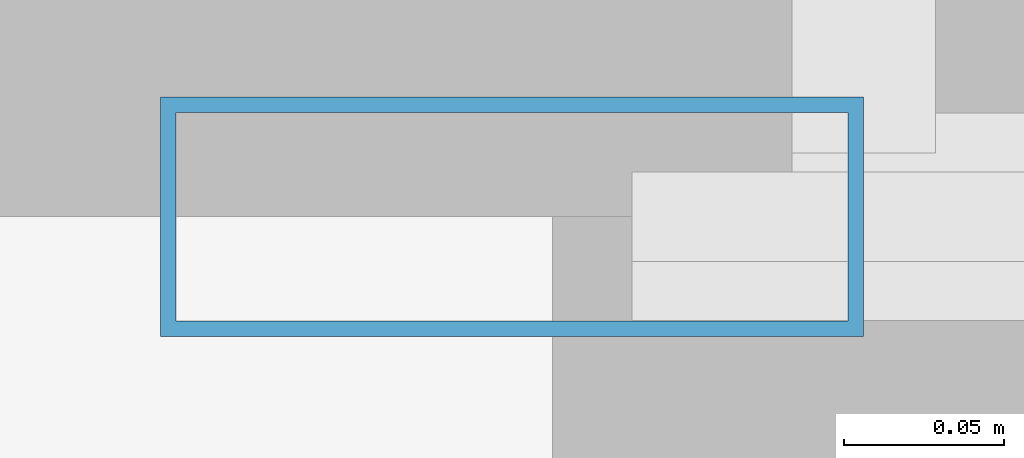
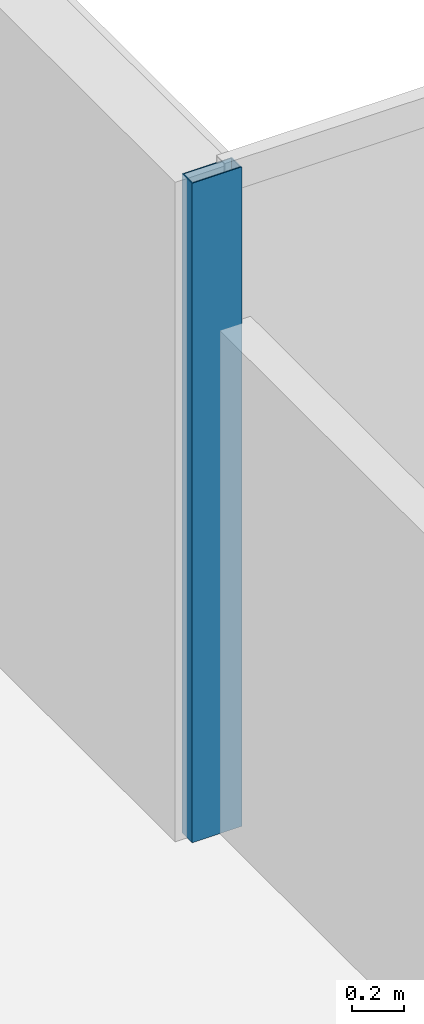
# One storey, part 6 of 23: 1 member, 1 element without a shape of its own.
"""IFC4 building model written with IfcOpenShell, lengths in metres."""

import ifcopenshell
import ifcopenshell.guid

model = None  # the IFC model being written
_history = None  # IfcOwnerHistory: only IFC2X3 demands one
_inside = {}  # id of a spatial element -> (the spatial element, [elements in it])
_under = {}  # id of a project, library or spatial element -> (it, [spatial elements below it])
_declared = {}  # id of a project -> (the project, [libraries it declares])
_typed = {}  # id of a type object -> (the type object, [elements of that type])
_made_of = {}  # id of a material, layer set ... -> (it, [elements and type objects made of it])


def new_model(schema):
    """Start an empty IFC model of exactly this schema.

    Asked for "IFC4X3", IfcOpenShell would pick the latest addendum, in which some entities
    have other attributes; the version numbers below select the first issue.
    IFC2X3 requires an IfcOwnerHistory on every rooted entity: one is made here for all.
    """
    global model, _history
    if schema == "IFC4X3":
        model = ifcopenshell.file(schema_version=(4, 3, 0, 0))
    else:
        model = ifcopenshell.file(schema=schema)
    _inside.clear()
    _under.clear()
    _declared.clear()
    _typed.clear()
    _made_of.clear()
    _history = None
    if model.schema == "IFC2X3":
        org = make("IfcOrganization", Name="unknown")
        user = make(
            "IfcPersonAndOrganization",
            ThePerson=make("IfcPerson", FamilyName="unknown"),
            TheOrganization=org,
        )
        app = make(
            "IfcApplication",
            ApplicationDeveloper=org,
            Version="unknown",
            ApplicationFullName="unknown",
            ApplicationIdentifier="unknown",
        )
        _history = make(
            "IfcOwnerHistory",
            OwningUser=user,
            OwningApplication=app,
            ChangeAction="ADDED",
            CreationDate=0,
        )
    return model


def make(cls, **values):
    """One entity of the class cls with the attributes given. An attribute that is None is left unset."""
    return model.create_entity(
        cls, **{name: value for name, value in values.items() if value is not None}
    )


def rooted(cls, **values):
    """An entity with a GlobalId (a new one), such as an element, a storey or a relation."""
    return make(cls, GlobalId=ifcopenshell.guid.new(), OwnerHistory=_history, **values)


def si_unit(unit_type, name, prefix=None):
    """IfcSIUnit, for example si_unit("LENGTHUNIT", "METRE", prefix="MILLI")."""
    return make("IfcSIUnit", UnitType=unit_type, Prefix=prefix, Name=name)


def assignment(units):
    """IfcUnitAssignment: the units of a project."""
    return None if units is None else make("IfcUnitAssignment", Units=units)


def point(xyz):
    """IfcCartesianPoint."""
    return None if xyz is None else make("IfcCartesianPoint", Coordinates=xyz)


def direction(xyz):
    """IfcDirection."""
    return None if xyz is None else make("IfcDirection", DirectionRatios=xyz)


def frame(location, z_axis=None, x_axis=None):
    """IfcAxis2Placement3D, a coordinate frame: its origin and axes. An axis left out is left unset."""
    return make(
        "IfcAxis2Placement3D",
        Location=point(location),
        Axis=direction(z_axis),
        RefDirection=direction(x_axis),
    )


def frame_2d(location, x_axis=None):
    """IfcAxis2Placement2D, a coordinate frame in the plane: its origin and x axis."""
    return make(
        "IfcAxis2Placement2D", Location=point(location), RefDirection=direction(x_axis)
    )


def origin():
    """The frame at (0, 0, 0) with its axes left unset."""
    return frame((0.0, 0.0, 0.0))


def origin_2d():
    """The frame at (0, 0) in the plane with its x axis left unset."""
    return frame_2d((0.0, 0.0))


def place(relative_to, where):
    """IfcLocalPlacement: puts the frame where relative to a parent placement (None: the world)."""
    return make(
        "IfcLocalPlacement", PlacementRelTo=relative_to, RelativePlacement=where
    )


def context(
    kind, dimensions, precision=None, world=None, true_north=None, identifier=None
):
    """IfcGeometricRepresentationContext, for example the 3D "Model" context."""
    return make(
        "IfcGeometricRepresentationContext",
        ContextIdentifier=identifier,
        ContextType=kind,
        CoordinateSpaceDimension=dimensions,
        Precision=precision,
        WorldCoordinateSystem=world,
        TrueNorth=true_north,
    )


def subcontext(parent, identifier, kind, view, scale=None):
    """IfcGeometricRepresentationSubContext, for example "Body" below "Model"."""
    return make(
        "IfcGeometricRepresentationSubContext",
        ContextIdentifier=identifier,
        ContextType=kind,
        ParentContext=parent,
        TargetScale=scale,
        TargetView=view,
    )


def project(units=None, contexts=None):
    """IfcProject with its units and contexts."""
    return rooted(
        "IfcProject",
        Name="project",
        RepresentationContexts=contexts,
        UnitsInContext=assignment(units),
    )


def spatial(cls, under=None, at=None, **own):
    """A site, building, storey or space (cls), placed at a placement, below another one or the project."""
    s = rooted(cls, ObjectPlacement=at, **own)
    if under is not None:
        _under.setdefault(under.id(), (under, []))[1].append(s)
    return s


def profile(cls, at=None, kind="AREA", **sizes):
    """A parametric profile (cls). Its sizes go by their IFC names, for example OverallWidth=200.0."""
    return make(cls, ProfileType=kind, Position=at, **sizes)


def hollow_rectangle(**sizes):
    """IfcRectangleHollowProfileDef."""
    return profile("IfcRectangleHollowProfileDef", **sizes)


def extrude(swept, where, along, depth):
    """IfcExtrudedAreaSolid: the profile swept, set in the frame where, extruded along a direction by depth."""
    return make(
        "IfcExtrudedAreaSolid",
        SweptArea=swept,
        Position=where,
        ExtrudedDirection=direction(along),
        Depth=depth,
    )


def shape(context_of_items, identifier, shape_type, items):
    """IfcShapeRepresentation: the items that make up one representation, for example the "Body"."""
    return make(
        "IfcShapeRepresentation",
        ContextOfItems=context_of_items,
        RepresentationIdentifier=identifier,
        RepresentationType=shape_type,
        Items=items,
    )


def material(Name=None, Category=None):
    """IfcMaterial."""
    return make("IfcMaterial", Name=Name, Category=Category)


def layer(
    of_material, thickness, ventilated=None, Name=None, Category=None, Priority=None
):
    """IfcMaterialLayer: one layer of a wall or slab, of a material (None: an air gap)."""
    return make(
        "IfcMaterialLayer",
        Material=of_material,
        LayerThickness=thickness,
        IsVentilated=ventilated,
        Name=Name,
        Category=Category,
        Priority=Priority,
    )


def layer_set(layers, Name=None):
    """IfcMaterialLayerSet."""
    return make("IfcMaterialLayerSet", MaterialLayers=layers, LayerSetName=Name)


def material_profile(
    of_material, cross_section, Name=None, Category=None, Priority=None
):
    """IfcMaterialProfile: a cross section and its material."""
    return make(
        "IfcMaterialProfile",
        Name=Name,
        Material=of_material,
        Profile=cross_section,
        Priority=Priority,
        Category=Category,
    )


def profile_set(profiles, Name=None, composite=None):
    """IfcMaterialProfileSet."""
    return make(
        "IfcMaterialProfileSet",
        Name=Name,
        MaterialProfiles=profiles,
        CompositeProfile=composite,
    )


def made_of(thing, what):
    """Note that an element or type object is made of a material, layer set ...; save() writes the relation."""
    if what is not None:
        _made_of.setdefault(what.id(), (what, []))[1].append(thing)
    return thing


def type_object(cls, material=None, **own):
    """A type object (cls), such as IfcWallType, which elements share."""
    return made_of(rooted(cls, **own), material)


def element(
    cls,
    number,
    at=None,
    inside=None,
    cuts=None,
    type_object=None,
    material=None,
    context=None,
    identifier="Body",
    shape_type=None,
    held_by="IfcProductDefinitionShape",
    body=None,
    shapes=None,
    **own,
):
    """One element of the class cls, such as IfcWall. Its Tag is "e" and its number.

    at: its placement. inside: the storey or other place that contains it. cuts: it is an
    opening in that element (IfcRelVoidsElement). A single representation is given by context,
    identifier, shape_type and body (its items); several are given by shapes. held_by: the class
    of the entity that holds the representations. save() writes the other relations.
    """
    e = rooted(cls, Tag="e%d" % number, ObjectPlacement=at, **own)
    if body is not None:
        shapes = [shape(context, identifier, shape_type, body)]
    if shapes is not None:
        e.Representation = make(held_by, Representations=shapes)
    if inside is not None:
        _inside.setdefault(inside.id(), (inside, []))[1].append(e)
    if cuts is not None:
        rooted(
            "IfcRelVoidsElement", RelatingBuildingElement=cuts, RelatedOpeningElement=e
        )
    if type_object is not None:
        _typed.setdefault(type_object.id(), (type_object, []))[1].append(e)
    return made_of(e, material)


def aggregate(whole, parts):
    """IfcRelAggregates: a whole, such as a stair, and the parts it consists of."""
    return rooted("IfcRelAggregates", RelatingObject=whole, RelatedObjects=parts)


def save(model, path):
    """Write the relations noted so far, then the file.

    IfcRelAggregates (storeys below a building ...), IfcRelContainedInSpatialStructure (elements
    in a storey), IfcRelDefinesByType, IfcRelAssociatesMaterial and IfcRelDeclares: one each for
    every whole, place, type object, material and project.
    """
    for whole, parts in _under.values():
        aggregate(whole, parts)
    for where, things in _inside.values():
        rooted(
            "IfcRelContainedInSpatialStructure",
            RelatedElements=things,
            RelatingStructure=where,
        )
    for kind, things in _typed.values():
        rooted("IfcRelDefinesByType", RelatedObjects=things, RelatingType=kind)
    for what, things in _made_of.values():
        rooted("IfcRelAssociatesMaterial", RelatedObjects=things, RelatingMaterial=what)
    for by, libraries in _declared.values():
        rooted("IfcRelDeclares", RelatingContext=by, RelatedDefinitions=libraries)
    model.write(path)


model = new_model("IFC4")

# Units and contexts
model_context = context("Model", 3, precision=1e-05, world=origin(), true_north=direction((0.0, 1.0)))
body_context = subcontext(model_context, "Body", "Model", "MODEL_VIEW")
ifc_project = project(units=[si_unit("LENGTHUNIT", "METRE"), si_unit("AREAUNIT", "SQUARE_METRE"), si_unit("VOLUMEUNIT", "CUBIC_METRE"), si_unit("PLANEANGLEUNIT", "RADIAN"), si_unit("MASSUNIT", "GRAM", prefix="KILO")], contexts=[model_context])

# Site, building, storey
site_placement = place(None, origin())
site = spatial("IfcSite", under=ifc_project, at=site_placement, CompositionType="ELEMENT")
building_placement = place(site_placement, origin())
building = spatial("IfcBuilding", under=site, at=building_placement, Name="Tanjung Sevakor Pilgrim Tower", CompositionType="ELEMENT")
storey_placement = place(building_placement, frame((0.0, 0.0, 88.77001953125)))
storey = spatial("IfcBuildingStorey", under=building, at=storey_placement, Name="L24", CompositionType="ELEMENT", Elevation=88.77001953125)

# Curtain wall, member
ifc_material_1 = material(Name="Aluminium 6063-T6 and Low-E Glass", Category="aluminium")
ifc_layer = layer(ifc_material_1, 0.179931640625)
ifc_layer_set = layer_set([ifc_layer], Name="CW-SYS-CLEFT")
curtain_wall_type = type_object("IfcCurtainWallType", Name="CW-SYS-CLEFT", PredefinedType="NOTDEFINED", material=ifc_layer_set)
curtain_wall_placement = place(storey_placement, origin())
curtain_wall = element("IfcCurtainWall", 1, at=curtain_wall_placement, inside=storey, type_object=curtain_wall_type, Name="L24 Curtain Wall CW-CLF-L24-10", PredefinedType="NOTDEFINED")
ifc_material_2 = material(Name="Aluminium 6063-T6", Category="aluminium")
ifc_material_profile = material_profile(ifc_material_2, hollow_rectangle(XDim=0.074951171875, YDim=0.219970703125, WallThickness=0.0048828125, at=origin_2d()))
ifc_profile_set = profile_set([ifc_material_profile], Name="Aluminium 6063-T6")
member_type = type_object("IfcMemberType", Name="TYPE-CWM-2", PredefinedType="MULLION", material=ifc_profile_set)
member_placement = place(storey_placement, frame((43.512451171875, 54.074951171875, 0.0), z_axis=(0.0, 0.0, 1.0), x_axis=(0.0, -1.0, 0.0)))
member = element("IfcMember", 2, at=member_placement, type_object=member_type, Name="CW-CLF mullion 2", PredefinedType="MULLION", context=body_context, shape_type="SweptSolid", body=[
    extrude(hollow_rectangle(XDim=0.074951171875, YDim=0.219970703125, WallThickness=0.0048828125, at=origin_2d()), origin(), (0.0, 0.0, 1.0), 3.080078125),
])
aggregate(curtain_wall, [member])

save(model, "model.ifc")
